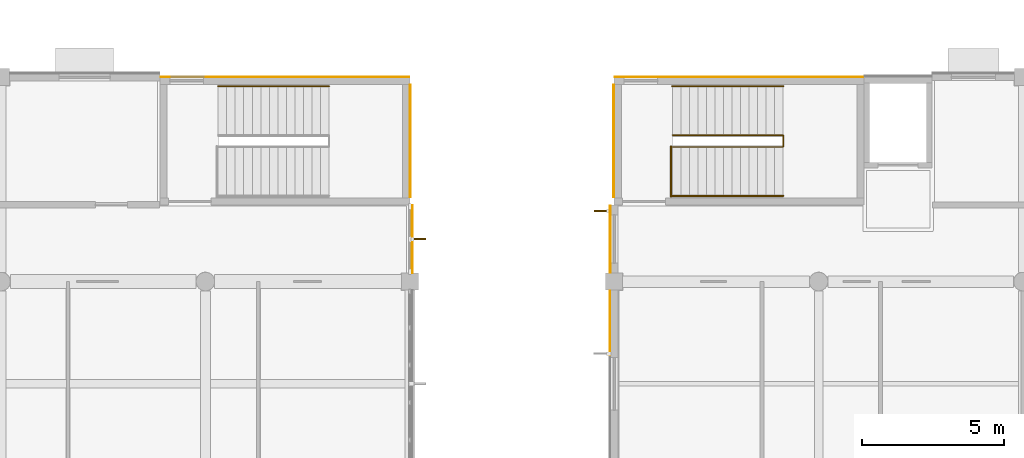
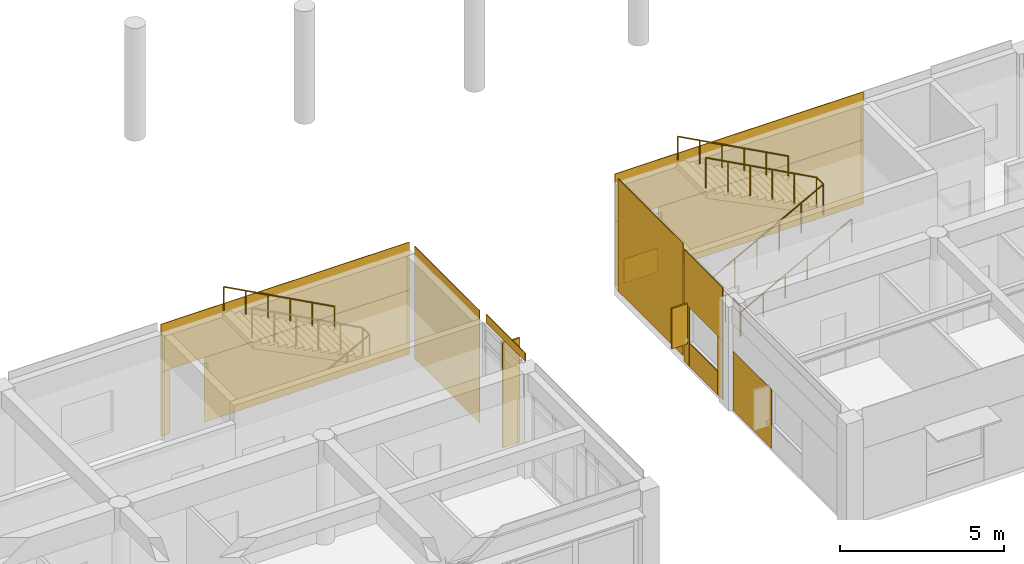
# One storey, part 42 of 55: 15 coverings, 5 railings, 2 shading devices.
"""IFC4 building model written with IfcOpenShell, lengths in metres."""

from ifc_helpers import new_model, si_unit, direction, frame, origin, origin_2d, place, context, subcontext, project, spatial, rectangle, circle, extrude, material, layer, layer_set, type_object, element, save


model = new_model("IFC4")

# Units and contexts
model_context = context("Model", 3, precision=1e-05, world=origin(), true_north=direction((0.0, 1.0)))
body_context = subcontext(model_context, "Body", "Model", "MODEL_VIEW")
ifc_project = project(units=[si_unit("LENGTHUNIT", "METRE"), si_unit("AREAUNIT", "SQUARE_METRE"), si_unit("VOLUMEUNIT", "CUBIC_METRE"), si_unit("PLANEANGLEUNIT", "RADIAN"), si_unit("MASSUNIT", "GRAM", prefix="KILO")], contexts=[model_context])

# Site, building, storey
site_placement = place(None, origin())
site = spatial("IfcSite", under=ifc_project, at=site_placement, CompositionType="ELEMENT")
building_placement = place(site_placement, origin())
building = spatial("IfcBuilding", under=site, at=building_placement, Name="Namkhue Oval Health Centre", CompositionType="ELEMENT")
storey_placement = place(building_placement, frame((0.0, 0.0, 9.60009765625)))
storey = spatial("IfcBuildingStorey", under=building, at=storey_placement, Name="L02", CompositionType="ELEMENT", Elevation=9.60009765625)

# Railings
ifc_material_1 = material(Name="Brushed stainless steel 316L balustrade with laminated glass infill", Category="steel")
railing_type_1 = type_object("IfcRailingType", Name="INTERIOR BALUSTRADE GUARD 1150", PredefinedType="BALUSTRADE", material=ifc_material_1)
railing_1_placement = place(storey_placement, frame((95.60009765625, 24.590087890625, 0.0)))
element("IfcRailing", 1, at=railing_1_placement, inside=storey, type_object=railing_type_1, Name="Stair ST-09 L02 Landing Well Edge Guard", PredefinedType="BALUSTRADE", context=body_context, shape_type="SweptSolid", body=[
    extrude(circle(Radius=0.02392578125, at=origin_2d()), frame((0.0, 0.0, 1.1259765625), z_axis=(0.0, 1.0, 0.0), x_axis=(-1.0, 0.0, 0.0)), (0.0, 0.0, 1.0), 1.77001953125),
    extrude(circle(Radius=0.02099609375, at=origin_2d()), origin(), (0.0, 0.0, 1.0), 1.101806640625),
    extrude(circle(Radius=0.02099609375, at=origin_2d()), frame((0.0, 0.885009765625, 0.0)), (0.0, 0.0, 1.0), 1.101806640625),
    extrude(circle(Radius=0.02099609375, at=origin_2d()), frame((0.0, 1.77001953125, 0.0)), (0.0, 0.0, 1.0), 1.101806640625),
])
railing_2_placement = place(storey_placement, frame((95.64990234375, 26.340087890625, 0.0)))
element("IfcRailing", 2, at=railing_2_placement, inside=storey, type_object=railing_type_1, Name="Stair ST-09 L02 Inner Well Guard", PredefinedType="BALUSTRADE", context=body_context, shape_type="SweptSolid", body=[
    extrude(circle(Radius=0.02392578125, at=origin_2d()), frame((0.0, 0.0, 1.1259765625), z_axis=(0.88049233674, 0.0, 0.474060381114), x_axis=(0.0, 1.0, 0.0)), (0.0, 0.0, 1.0), 4.429443359375),
    extrude(circle(Radius=0.02392578125, at=origin_2d()), frame((3.900146484375, 0.0, 3.2255859375), z_axis=(0.0, 1.0, 0.0), x_axis=(-1.0, 0.0, 0.0)), (0.0, 0.0, 1.0), 0.419921875),
    extrude(circle(Radius=0.02392578125, at=origin_2d()), frame((3.900146484375, 0.419921875, 3.2255859375), z_axis=(-0.880469330154, 0.0, 0.474103109733), x_axis=(0.0, -1.0, 0.0)), (0.0, 0.0, 1.0), 4.4296875),
    extrude(circle(Radius=0.02099609375, at=origin_2d()), origin(), (0.0, 0.0, 1.0), 1.101806640625),
    extrude(circle(Radius=0.02099609375, at=origin_2d()), frame((0.780029296875, 0.0, 0.419921875)), (0.0, 0.0, 1.0), 1.101806640625),
    extrude(circle(Radius=0.02099609375, at=origin_2d()), frame((1.56005859375, 0.0, 0.83984375)), (0.0, 0.0, 1.0), 1.101806640625),
    extrude(circle(Radius=0.02099609375, at=origin_2d()), frame((2.340087890625, 0.0, 1.260009765625)), (0.0, 0.0, 1.0), 1.101806640625),
    extrude(circle(Radius=0.02099609375, at=origin_2d()), frame((3.1201171875, 0.0, 1.679931640625)), (0.0, 0.0, 1.0), 1.101806640625),
    extrude(circle(Radius=0.02099609375, at=origin_2d()), frame((3.900146484375, 0.0, 2.099853515625)), (0.0, 0.0, 1.0), 1.101806640625),
    extrude(circle(Radius=0.02099609375, at=origin_2d()), frame((3.900146484375, 0.419921875, 2.099853515625)), (0.0, 0.0, 1.0), 1.101806640625),
    extrude(circle(Radius=0.02099609375, at=origin_2d()), frame((3.1201171875, 0.419921875, 2.519775390625)), (0.0, 0.0, 1.0), 1.101806640625),
    extrude(circle(Radius=0.02099609375, at=origin_2d()), frame((2.340087890625, 0.419921875, 2.93994140625)), (0.0, 0.0, 1.0), 1.101806640625),
    extrude(circle(Radius=0.02099609375, at=origin_2d()), frame((1.56005859375, 0.419921875, 3.35986328125)), (0.0, 0.0, 1.0), 1.101806640625),
    extrude(circle(Radius=0.02099609375, at=origin_2d()), frame((0.780029296875, 0.419921875, 3.780029296875)), (0.0, 0.0, 1.0), 1.101806640625),
    extrude(circle(Radius=0.02099609375, at=origin_2d()), frame((0.0, 0.419921875, 4.199951171875)), (0.0, 0.0, 1.0), 1.101806640625),
])
ifc_material_2 = material(Name="Brushed stainless steel 304 tubular handrail", Category="steel")
railing_type_2 = type_object("IfcRailingType", Name="INTERIOR STAIR HANDRAIL 900", PredefinedType="HANDRAIL", material=ifc_material_2)
railing_3_placement = place(storey_placement, frame((83.550048828125, 28.47998046875, 2.099853515625)))
element("IfcRailing", 3, at=railing_3_placement, inside=storey, type_object=railing_type_2, Name="Stair ST-08 L02 Flight 2 Handrail", PredefinedType="HANDRAIL", context=body_context, shape_type="SweptSolid", body=[
    extrude(circle(Radius=0.02392578125, at=origin_2d()), frame((0.0, 0.0, 0.8759765625), z_axis=(-0.880469330154, 0.0, 0.474103109733), x_axis=(0.0, -1.0, 0.0)), (0.0, 0.0, 1.0), 4.4296875),
    extrude(circle(Radius=0.02099609375, at=origin_2d()), origin(), (0.0, 0.0, 1.0), 0.851806640625),
    extrude(circle(Radius=0.02099609375, at=origin_2d()), frame((-0.780029296875, 0.0, 0.419921875)), (0.0, 0.0, 1.0), 0.851806640625),
    extrude(circle(Radius=0.02099609375, at=origin_2d()), frame((-1.56005859375, 0.0, 0.840087890625)), (0.0, 0.0, 1.0), 0.851806640625),
    extrude(circle(Radius=0.02099609375, at=origin_2d()), frame((-2.340087890625, 0.0, 1.260009765625)), (0.0, 0.0, 1.0), 0.851806640625),
    extrude(circle(Radius=0.02099609375, at=origin_2d()), frame((-3.1201171875, 0.0, 1.68017578125)), (0.0, 0.0, 1.0), 0.851806640625),
    extrude(circle(Radius=0.02099609375, at=origin_2d()), frame((-3.900146484375, 0.0, 2.10009765625)), (0.0, 0.0, 1.0), 0.851806640625),
])
railing_4_placement = place(storey_placement, frame((95.64990234375, 24.6201171875, 0.0)))
element("IfcRailing", 4, at=railing_4_placement, inside=storey, type_object=railing_type_2, Name="Stair ST-09 L02 Flight 1 Handrail", PredefinedType="HANDRAIL", context=body_context, shape_type="SweptSolid", body=[
    extrude(circle(Radius=0.02392578125, at=origin_2d()), frame((0.0, 0.0, 0.8759765625), z_axis=(0.88049233674, 0.0, 0.474060381114), x_axis=(0.0, 1.0, 0.0)), (0.0, 0.0, 1.0), 4.429443359375),
    extrude(circle(Radius=0.02099609375, at=origin_2d()), origin(), (0.0, 0.0, 1.0), 0.851806640625),
    extrude(circle(Radius=0.02099609375, at=origin_2d()), frame((0.780029296875, 0.0, 0.419921875)), (0.0, 0.0, 1.0), 0.851806640625),
    extrude(circle(Radius=0.02099609375, at=origin_2d()), frame((1.56005859375, 0.0, 0.83984375)), (0.0, 0.0, 1.0), 0.851806640625),
    extrude(circle(Radius=0.02099609375, at=origin_2d()), frame((2.340087890625, 0.0, 1.260009765625)), (0.0, 0.0, 1.0), 0.851806640625),
    extrude(circle(Radius=0.02099609375, at=origin_2d()), frame((3.1201171875, 0.0, 1.679931640625)), (0.0, 0.0, 1.0), 0.851806640625),
    extrude(circle(Radius=0.02099609375, at=origin_2d()), frame((3.900146484375, 0.0, 2.099853515625)), (0.0, 0.0, 1.0), 0.851806640625),
])
railing_5_placement = place(storey_placement, frame((99.550048828125, 28.47998046875, 2.099853515625)))
element("IfcRailing", 5, at=railing_5_placement, inside=storey, type_object=railing_type_2, Name="Stair ST-09 L02 Flight 2 Handrail", PredefinedType="HANDRAIL", context=body_context, shape_type="SweptSolid", body=[
    extrude(circle(Radius=0.02392578125, at=origin_2d()), frame((0.0, 0.0, 0.8759765625), z_axis=(-0.880469330154, 0.0, 0.474103109733), x_axis=(0.0, -1.0, 0.0)), (0.0, 0.0, 1.0), 4.4296875),
    extrude(circle(Radius=0.02099609375, at=origin_2d()), origin(), (0.0, 0.0, 1.0), 0.851806640625),
    extrude(circle(Radius=0.02099609375, at=origin_2d()), frame((-0.780029296875, 0.0, 0.419921875)), (0.0, 0.0, 1.0), 0.851806640625),
    extrude(circle(Radius=0.02099609375, at=origin_2d()), frame((-1.56005859375, 0.0, 0.840087890625)), (0.0, 0.0, 1.0), 0.851806640625),
    extrude(circle(Radius=0.02099609375, at=origin_2d()), frame((-2.340087890625, 0.0, 1.260009765625)), (0.0, 0.0, 1.0), 0.851806640625),
    extrude(circle(Radius=0.02099609375, at=origin_2d()), frame((-3.1201171875, 0.0, 1.68017578125)), (0.0, 0.0, 1.0), 0.851806640625),
    extrude(circle(Radius=0.02099609375, at=origin_2d()), frame((-3.900146484375, 0.0, 2.10009765625)), (0.0, 0.0, 1.0), 0.851806640625),
])

# Shading devices
ifc_material_3 = material(Name="Anodised aluminium EN AW-6063 T6", Category="aluminium")
shading_device_type = type_object("IfcShadingDeviceType", Name="VERTICAL SOLAR FIN 600", PredefinedType="USERDEFINED", material=ifc_material_3)
shading_device_1_placement = place(storey_placement, frame((86.659912109375, 23.096923828125, 0.0), z_axis=(0.0, 0.0, 1.0), x_axis=(1.0, 0.0, 0.0)))
element("IfcShadingDevice", 6, at=shading_device_1_placement, inside=storey, type_object=shading_device_type, Name="Volume V4 L02 Extruded Aluminium Solar Fin 221", ObjectType="SOLAR FIN", PredefinedType="USERDEFINED", context=body_context, shape_type="SweptSolid", body=[
    extrude(rectangle(XDim=0.60009765625, YDim=0.06005859375, at=origin_2d()), origin(), (0.0, 0.0, 1.0), 3.89990234375),
])
shading_device_2_placement = place(storey_placement, frame((93.18994140625, 24.0869140625, 0.7998046875), z_axis=(0.0, 0.0, 1.0), x_axis=(-1.0, 0.0, 0.0)))
element("IfcShadingDevice", 7, at=shading_device_2_placement, inside=storey, type_object=shading_device_type, Name="Volume V5 L02 Window Solar Fin 275", ObjectType="SOLAR FIN", PredefinedType="USERDEFINED", context=body_context, shape_type="SweptSolid", body=[
    extrude(rectangle(XDim=0.60009765625, YDim=0.06005859375, at=origin_2d()), origin(), (0.0, 0.0, 1.0), 1.5),
])

# Coverings
ifc_material_4 = material(Name="White glass-fibre reinforced concrete GRC rainscreen cladding", Category="concrete")
ifc_layer = layer(ifc_material_4, 0.02490234375)
ifc_layer_set = layer_set([ifc_layer], Name="White glass-fibre reinforced concrete GRC rainscreen cladding")
covering_type = type_object("IfcCoveringType", Name="WHITE GRC RAINSCREEN CLADDING 25", PredefinedType="CLADDING", material=ifc_layer_set)
covering_1_placement = place(storey_placement, frame((86.488525390625, 23.096923828125, 3.885009765625), z_axis=(0.0, 0.0, 1.0), x_axis=(0.0, 1.0, 0.0)))
element("IfcCovering", 8, at=covering_1_placement, inside=storey, type_object=covering_type, Name="Volume V4 L02 Curtain Wall Spandrel Cladding 164", PredefinedType="CLADDING", context=body_context, shape_type="SweptSolid", body=[
    extrude(rectangle(XDim=2.39208984375, YDim=0.02490234375, at=origin_2d()), origin(), (0.0, 0.0, 1.0), 0.31494140625),
])
covering_2_placement = place(storey_placement, frame((93.4580078125, 23.096923828125, 2.21484375), z_axis=(0.0, 0.0, 1.0), x_axis=(0.0, -1.0, 0.0)))
element("IfcCovering", 9, at=covering_2_placement, inside=storey, type_object=covering_type, Name="Volume V5 L02 Facade 137 White GRC Cladding 1", PredefinedType="CLADDING", context=body_context, shape_type="SweptSolid", body=[
    extrude(rectangle(XDim=2.362060546875, YDim=0.02490234375, at=origin_2d()), origin(), (0.0, 0.0, 1.0), 1.97509765625),
])
covering_3_placement = place(storey_placement, frame((93.4580078125, 24.1201171875, 0.009765625), z_axis=(0.0, 0.0, 1.0), x_axis=(0.0, -1.0, 0.0)))
element("IfcCovering", 10, at=covering_3_placement, inside=storey, type_object=covering_type, Name="Volume V5 L02 Facade 137 White GRC Cladding 2", PredefinedType="CLADDING", context=body_context, shape_type="SweptSolid", body=[
    extrude(rectangle(XDim=0.31591796875, YDim=0.02490234375, at=origin_2d()), origin(), (0.0, 0.0, 1.0), 2.199951171875),
])
covering_4_placement = place(storey_placement, frame((93.4580078125, 23.096923828125, 0.010009765625), z_axis=(0.0, 0.0, 1.0), x_axis=(0.0, -1.0, 0.0)))
element("IfcCovering", 11, at=covering_4_placement, inside=storey, type_object=covering_type, Name="Volume V5 L02 Facade 137 White GRC Cladding 3", PredefinedType="CLADDING", context=body_context, shape_type="SweptSolid", body=[
    extrude(rectangle(XDim=1.719970703125, YDim=0.02490234375, at=origin_2d()), origin(), (0.0, 0.0, 1.0), 0.875),
])
covering_5_placement = place(storey_placement, frame((93.4580078125, 22.073974609375, 0.009765625), z_axis=(0.0, 0.0, 1.0), x_axis=(0.0, -1.0, 0.0)))
element("IfcCovering", 12, at=covering_5_placement, inside=storey, type_object=covering_type, Name="Volume V5 L02 Facade 137 White GRC Cladding 4", PredefinedType="CLADDING", context=body_context, shape_type="SweptSolid", body=[
    extrude(rectangle(XDim=0.31591796875, YDim=0.02490234375, at=origin_2d()), origin(), (0.0, 0.0, 1.0), 2.199951171875),
])
covering_6_placement = place(storey_placement, frame((93.452880859375, 20.112060546875, 0.009765625), z_axis=(0.0, 0.0, 1.0), x_axis=(0.0, -1.0, 0.0)))
element("IfcCovering", 13, at=covering_6_placement, inside=storey, type_object=covering_type, Name="Volume V5 L02 Facade 138 White GRC Cladding 2", PredefinedType="CLADDING", context=body_context, shape_type="SweptSolid", body=[
    extrude(rectangle(XDim=2.343994140625, YDim=0.02490234375, at=origin_2d()), origin(), (0.0, 0.0, 1.0), 2.199951171875),
])
covering_7_placement = place(storey_placement, frame((86.412109375, 26.550048828125, 0.009765625), z_axis=(0.0, 0.0, 1.0), x_axis=(0.0, 1.0, 0.0)))
element("IfcCovering", 14, at=covering_7_placement, inside=storey, type_object=covering_type, Name="Core SC-08 L02 Core E White GRC Cladding 1", PredefinedType="CLADDING", context=body_context, shape_type="SweptSolid", body=[
    extrude(rectangle(XDim=3.9599609375, YDim=0.02490234375, at=origin_2d()), origin(), (0.0, 0.0, 1.0), 4.179931640625),
])
covering_8_placement = place(storey_placement, frame((82.0, 28.81201171875, 2.4150390625), z_axis=(0.0, 0.0, 1.0), x_axis=(-1.0, 0.0, 0.0)))
element("IfcCovering", 15, at=covering_8_placement, inside=storey, type_object=covering_type, Name="Core SC-08 L02 Core N White GRC Cladding 1", PredefinedType="CLADDING", context=body_context, shape_type="SweptSolid", body=[
    extrude(rectangle(XDim=8.760009765625, YDim=0.02490234375, at=origin_2d()), origin(), (0.0, 0.0, 1.0), 1.77490234375),
])
covering_9_placement = place(storey_placement, frame((82.762451171875, 28.81201171875, 0.010009765625), z_axis=(0.0, 0.0, 1.0), x_axis=(-1.0, 0.0, 0.0)))
element("IfcCovering", 16, at=covering_9_placement, inside=storey, type_object=covering_type, Name="Core SC-08 L02 Core N White GRC Cladding 2", PredefinedType="CLADDING", context=body_context, shape_type="SweptSolid", body=[
    extrude(rectangle(XDim=7.235107421875, YDim=0.02490234375, at=origin_2d()), origin(), (0.0, 0.0, 1.0), 2.39990234375),
])
covering_10_placement = place(storey_placement, frame((77.777587890625, 28.81201171875, 0.010009765625), z_axis=(0.0, 0.0, 1.0), x_axis=(-1.0, 0.0, 0.0)))
element("IfcCovering", 17, at=covering_10_placement, inside=storey, type_object=covering_type, Name="Core SC-08 L02 Core N White GRC Cladding 4", PredefinedType="CLADDING", context=body_context, shape_type="SweptSolid", body=[
    extrude(rectangle(XDim=0.31494140625, YDim=0.02490234375, at=origin_2d()), origin(), (0.0, 0.0, 1.0), 2.39990234375),
])
covering_11_placement = place(storey_placement, frame((98.0, 28.81201171875, 2.4150390625), z_axis=(0.0, 0.0, 1.0), x_axis=(-1.0, 0.0, 0.0)))
element("IfcCovering", 18, at=covering_11_placement, inside=storey, type_object=covering_type, Name="Core SC-09 L02 Core N White GRC Cladding 1", PredefinedType="CLADDING", context=body_context, shape_type="SweptSolid", body=[
    extrude(rectangle(XDim=8.760009765625, YDim=0.02490234375, at=origin_2d()), origin(), (0.0, 0.0, 1.0), 1.77490234375),
])
covering_12_placement = place(storey_placement, frame((98.762451171875, 28.81201171875, 0.010009765625), z_axis=(0.0, 0.0, 1.0), x_axis=(-1.0, 0.0, 0.0)))
element("IfcCovering", 19, at=covering_12_placement, inside=storey, type_object=covering_type, Name="Core SC-09 L02 Core N White GRC Cladding 2", PredefinedType="CLADDING", context=body_context, shape_type="SweptSolid", body=[
    extrude(rectangle(XDim=7.235107421875, YDim=0.02490234375, at=origin_2d()), origin(), (0.0, 0.0, 1.0), 2.39990234375),
])
covering_13_placement = place(storey_placement, frame((94.5400390625, 28.81201171875, 0.010009765625), z_axis=(0.0, 0.0, 1.0), x_axis=(-1.0, 0.0, 0.0)))
element("IfcCovering", 20, at=covering_13_placement, inside=storey, type_object=covering_type, Name="Core SC-09 L02 Core N White GRC Cladding 3", PredefinedType="CLADDING", context=body_context, shape_type="SweptSolid", body=[
    extrude(rectangle(XDim=1.199951171875, YDim=0.02490234375, at=origin_2d()), origin(), (0.0, 0.0, 1.0), 0.89501953125),
])
covering_14_placement = place(storey_placement, frame((93.777587890625, 28.81201171875, 0.010009765625), z_axis=(0.0, 0.0, 1.0), x_axis=(-1.0, 0.0, 0.0)))
element("IfcCovering", 21, at=covering_14_placement, inside=storey, type_object=covering_type, Name="Core SC-09 L02 Core N White GRC Cladding 4", PredefinedType="CLADDING", context=body_context, shape_type="SweptSolid", body=[
    extrude(rectangle(XDim=0.31494140625, YDim=0.02490234375, at=origin_2d()), origin(), (0.0, 0.0, 1.0), 2.39990234375),
])
covering_15_placement = place(storey_placement, frame((93.587890625, 26.550048828125, 0.009765625), z_axis=(0.0, 0.0, 1.0), x_axis=(0.0, -1.0, 0.0)))
element("IfcCovering", 22, at=covering_15_placement, inside=storey, type_object=covering_type, Name="Core SC-09 L02 Core W White GRC Cladding 1", PredefinedType="CLADDING", context=body_context, shape_type="SweptSolid", body=[
    extrude(rectangle(XDim=3.9599609375, YDim=0.02490234375, at=origin_2d()), origin(), (0.0, 0.0, 1.0), 4.179931640625),
])

save(model, "model.ifc")
